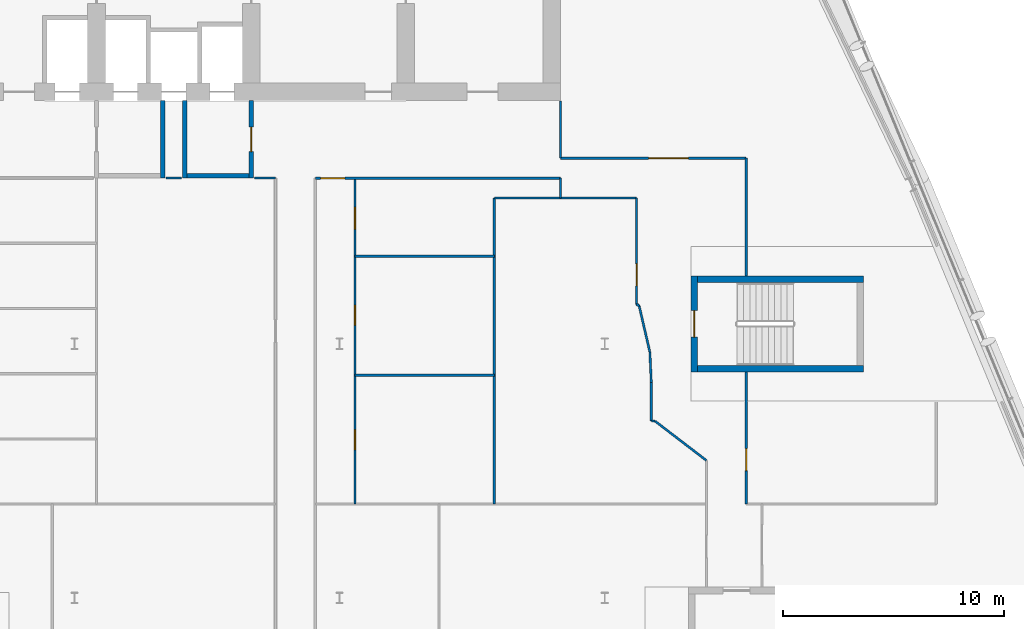
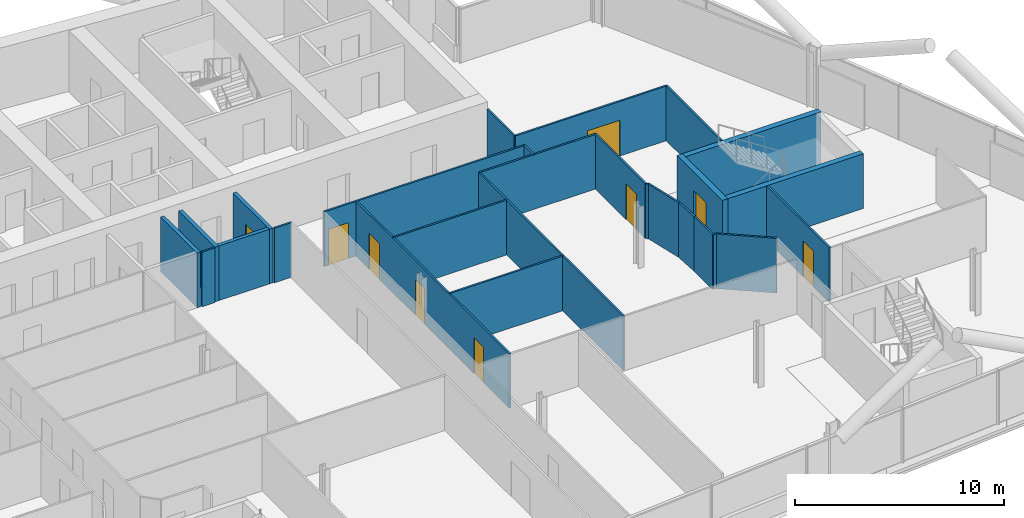
# One storey, part 17 of 26: 27 walls, 9 doors, 9 openings.
"""IFC4 building model written with IfcOpenShell, lengths in metres."""

from ifc_helpers import new_model, si_unit, direction, frame, frame_2d, origin, place, context, subcontext, project, spatial, rectangle, extrude, material, layer, layer_set, type_object, element, fill, save


model = new_model("IFC4")

# Units and contexts
model_context = context("Model", 3, precision=1e-05, world=origin(), true_north=direction((0.0, 1.0)))
body_context = subcontext(model_context, "Body", "Model", "MODEL_VIEW")
ifc_project = project(units=[si_unit("LENGTHUNIT", "METRE"), si_unit("AREAUNIT", "SQUARE_METRE"), si_unit("VOLUMEUNIT", "CUBIC_METRE"), si_unit("PLANEANGLEUNIT", "RADIAN"), si_unit("MASSUNIT", "GRAM", prefix="KILO")], contexts=[model_context])

# Site, building, storey
site_placement = place(None, origin())
site = spatial("IfcSite", under=ifc_project, at=site_placement, CompositionType="ELEMENT")
building_placement = place(site_placement, origin())
building = spatial("IfcBuilding", under=site, at=building_placement, Name="Wharfspan Tower", CompositionType="ELEMENT")
storey_placement = place(building_placement, frame((0.0, 0.0, 169.899902)))
storey = spatial("IfcBuildingStorey", under=building, at=storey_placement, Name="L41", CompositionType="ELEMENT", Elevation=169.899902)

# Wall, opening, door
ifc_material_1 = material(Name="Gypsum board on steel studs", Category="steel")
ifc_layer_1 = layer(ifc_material_1, 0.100098)
ifc_layer_set_1 = layer_set([ifc_layer_1], Name="Gypsum board on steel studs")
wall_type_1 = type_object("IfcWallType", Name="Compartment wall 100 EI 60", PredefinedType="PARTITIONING", material=ifc_layer_set_1)
wall_1_placement = place(storey_placement, frame((46.909912, 30.48999, 0.0), z_axis=(0.0, 0.0, 1.0), x_axis=(1.0, 0.0, 0.0)))
wall_1 = element("IfcWall", 1, at=wall_1_placement, inside=storey, type_object=wall_type_1, Name="Partition L41.w036", PredefinedType="PARTITIONING", context=body_context, shape_type="SweptSolid", body=[
    extrude(rectangle(XDim=11.090088, YDim=0.100098, at=frame_2d((5.544922, 0.0))), origin(), (0.0, 0.0, 1.0), 3.200195),
])
opening_1_placement = place(wall_1_placement, frame((0.235107, 0.0, 0.0)))
opening_1 = element("IfcOpeningElement", 2, at=opening_1_placement, cuts=wall_1, Name="Opening C3-21", PredefinedType="OPENING", context=body_context, shape_type="SweptSolid", body=[
    extrude(rectangle(XDim=1.100098, YDim=2.100098, at=frame_2d((0.550049, 1.050049))), frame((0.0, 0.060059, 0.0), z_axis=(0.0, -1.0, 0.0), x_axis=(1.0, 0.0, 0.0)), (0.0, 0.0, 1.0), 0.120117),
])
ifc_material_2 = material(Name="Fire-rated timber door leaf in steel frame", Category="steel")
door_type_1 = type_object("IfcDoorType", Name="Door 1100 FD30S Left", OperationType="SINGLE_SWING_LEFT", PredefinedType="DOOR", material=ifc_material_2)
door_1_placement = place(opening_1_placement, origin())
door_1 = element("IfcDoor", 3, at=door_1_placement, inside=storey, type_object=door_type_1, Name="Door C3-21", OperationType="SINGLE_SWING_LEFT", OverallHeight=2.100098, OverallWidth=1.100098, PredefinedType="DOOR", context=body_context, shape_type="SweptSolid", body=[
    extrude(rectangle(XDim=1.100098, YDim=2.100098, at=frame_2d((0.550049, 1.050049))), frame((0.0, 0.024902, 0.0), z_axis=(0.0, -1.0, 0.0), x_axis=(1.0, 0.0, 0.0)), (0.0, 0.0, 1.0), 0.050049),
])
fill(opening_1, door_1)

# Wall, openings, doors
wall_2_placement = place(storey_placement, frame((48.699951, 15.745117, 0.0), z_axis=(0.0, 0.0, 1.0), x_axis=(0.0, 1.0, 0.0)))
wall_2 = element("IfcWall", 4, at=wall_2_placement, inside=storey, type_object=wall_type_1, Name="Partition L41.w037", PredefinedType="PARTITIONING", context=body_context, shape_type="SweptSolid", body=[
    extrude(rectangle(XDim=14.744873, YDim=0.100098, at=frame_2d((7.372559, 0.0))), origin(), (0.0, 0.0, 1.0), 3.200195),
])
opening_2_placement = place(wall_2_placement, frame((2.468994, 0.0, 0.0)))
opening_2 = element("IfcOpeningElement", 5, at=opening_2_placement, cuts=wall_2, Name="Opening C3-10", PredefinedType="OPENING", context=body_context, shape_type="SweptSolid", body=[
    extrude(rectangle(XDim=0.899902, YDim=2.100098, at=frame_2d((0.449951, 1.050049))), frame((0.0, 0.060059, 0.0), z_axis=(0.0, -1.0, 0.0), x_axis=(1.0, 0.0, 0.0)), (0.0, 0.0, 1.0), 0.120117),
])
opening_3_placement = place(wall_2_placement, frame((8.099121, 0.0, 0.0)))
opening_3 = element("IfcOpeningElement", 6, at=opening_3_placement, cuts=wall_2, Name="Opening C3-15", PredefinedType="OPENING", context=body_context, shape_type="SweptSolid", body=[
    extrude(rectangle(XDim=0.899902, YDim=2.100098, at=frame_2d((0.449951, 1.050049))), frame((0.0, 0.060059, 0.0), z_axis=(0.0, -1.0, 0.0), x_axis=(1.0, 0.0, 0.0)), (0.0, 0.0, 1.0), 0.120117),
])
opening_4_placement = place(wall_2_placement, frame((12.434082, 0.0, 0.0)))
opening_4 = element("IfcOpeningElement", 7, at=opening_4_placement, cuts=wall_2, Name="Opening C3-19", PredefinedType="OPENING", context=body_context, shape_type="SweptSolid", body=[
    extrude(rectangle(XDim=1.0, YDim=2.100098, at=frame_2d((0.5, 1.050049))), frame((0.0, 0.060059, 0.0), z_axis=(0.0, -1.0, 0.0), x_axis=(1.0, 0.0, 0.0)), (0.0, 0.0, 1.0), 0.120117),
])
ifc_material_3 = material(Name="Timber door leaf in steel frame", Category="steel")
door_type_2 = type_object("IfcDoorType", Name="Door 1000 NOT RATED Right", OperationType="SINGLE_SWING_RIGHT", PredefinedType="DOOR", material=ifc_material_3)
door_2_placement = place(opening_4_placement, origin())
door_2 = element("IfcDoor", 8, at=door_2_placement, inside=storey, type_object=door_type_2, Name="Door C3-19", OperationType="SINGLE_SWING_RIGHT", OverallHeight=2.100098, OverallWidth=1.0, PredefinedType="DOOR", context=body_context, shape_type="SweptSolid", body=[
    extrude(rectangle(XDim=1.0, YDim=2.100098, at=frame_2d((0.5, 1.050049))), frame((0.0, 0.024902, 0.0), z_axis=(0.0, -1.0, 0.0), x_axis=(1.0, 0.0, 0.0)), (0.0, 0.0, 1.0), 0.050049),
])
fill(opening_4, door_2)
door_type_3 = type_object("IfcDoorType", Name="Door 900 NOT RATED Left", OperationType="SINGLE_SWING_LEFT", PredefinedType="DOOR", material=ifc_material_3)
door_3_placement = place(opening_2_placement, origin())
door_3 = element("IfcDoor", 9, at=door_3_placement, inside=storey, type_object=door_type_3, Name="Door C3-10", OperationType="SINGLE_SWING_LEFT", OverallHeight=2.100098, OverallWidth=0.899902, PredefinedType="DOOR", context=body_context, shape_type="SweptSolid", body=[
    extrude(rectangle(XDim=0.899902, YDim=2.100098, at=frame_2d((0.449951, 1.050049))), frame((0.0, 0.024902, 0.0), z_axis=(0.0, -1.0, 0.0), x_axis=(1.0, 0.0, 0.0)), (0.0, 0.0, 1.0), 0.050049),
])
fill(opening_2, door_3)
door_type_4 = type_object("IfcDoorType", Name="Door 900 NOT RATED Right", OperationType="SINGLE_SWING_RIGHT", PredefinedType="DOOR", material=ifc_material_3)
door_4_placement = place(opening_3_placement, origin())
door_4 = element("IfcDoor", 10, at=door_4_placement, inside=storey, type_object=door_type_4, Name="Door C3-15", OperationType="SINGLE_SWING_RIGHT", OverallHeight=2.100098, OverallWidth=0.899902, PredefinedType="DOOR", context=body_context, shape_type="SweptSolid", body=[
    extrude(rectangle(XDim=0.899902, YDim=2.100098, at=frame_2d((0.449951, 1.050049))), frame((0.0, 0.024902, 0.0), z_axis=(0.0, -1.0, 0.0), x_axis=(1.0, 0.0, 0.0)), (0.0, 0.0, 1.0), 0.050049),
])
fill(opening_3, door_4)

# Walls
wall_3_placement = place(storey_placement, frame((55.0, 29.600098, 0.0), z_axis=(0.0, 0.0, 1.0), x_axis=(1.0, 0.0, 0.0)))
element("IfcWall", 11, at=wall_3_placement, inside=storey, type_object=wall_type_1, Name="Partition L41.w044", PredefinedType="PARTITIONING", context=body_context, shape_type="SweptSolid", body=[
    extrude(rectangle(XDim=6.439941, YDim=0.100098, at=frame_2d((3.219971, 0.0))), origin(), (0.0, 0.0, 1.0), 3.200195),
])
wall_4_placement = place(storey_placement, frame((58.0, 29.600098, 0.0), z_axis=(0.0, 0.0, 1.0), x_axis=(0.0, 1.0, 0.0)))
element("IfcWall", 12, at=wall_4_placement, inside=storey, type_object=wall_type_1, Name="Partition L41.w045", PredefinedType="PARTITIONING", context=body_context, shape_type="SweptSolid", body=[
    extrude(rectangle(XDim=0.899902, YDim=0.100098, at=frame_2d((0.449951, 0.0))), origin(), (0.0, 0.0, 1.0), 3.200195),
])
wall_5_placement = place(storey_placement, frame((58.0, 31.399902, 0.0), z_axis=(0.0, 0.0, 1.0), x_axis=(0.0, 1.0, 0.0)))
element("IfcWall", 13, at=wall_5_placement, inside=storey, type_object=wall_type_1, Name="Partition L41.w046", PredefinedType="PARTITIONING", context=body_context, shape_type="SweptSolid", body=[
    extrude(rectangle(XDim=2.580078, YDim=0.100098, at=frame_2d((1.290039, 0.0))), origin(), (0.0, 0.0, 1.0), 3.200195),
])

# Wall, opening, door
wall_6_placement = place(storey_placement, frame((58.0, 31.399902, 0.0), z_axis=(0.0, 0.0, 1.0), x_axis=(1.0, 0.0, 0.0)))
wall_6 = element("IfcWall", 14, at=wall_6_placement, inside=storey, type_object=wall_type_1, Name="Partition L41.w047", PredefinedType="PARTITIONING", context=body_context, shape_type="SweptSolid", body=[
    extrude(rectangle(XDim=8.399902, YDim=0.100098, at=frame_2d((4.199951, 0.0))), origin(), (0.0, 0.0, 1.0), 3.200195),
])
opening_5_placement = place(wall_6_placement, frame((3.97998, 0.0, 0.0)))
opening_5 = element("IfcOpeningElement", 15, at=opening_5_placement, cuts=wall_6, Name="Opening C3-24", PredefinedType="OPENING", context=body_context, shape_type="SweptSolid", body=[
    extrude(rectangle(XDim=1.800049, YDim=2.100098, at=frame_2d((0.899902, 1.050049))), frame((0.0, 0.060059, 0.0), z_axis=(0.0, -1.0, 0.0), x_axis=(1.0, 0.0, 0.0)), (0.0, 0.0, 1.0), 0.120117),
])
door_type_5 = type_object("IfcDoorType", Name="Door 1800 FD30S Double", OperationType="DOUBLE_DOOR_SINGLE_SWING", PredefinedType="DOOR", material=ifc_material_2)
door_5_placement = place(opening_5_placement, origin())
door_5 = element("IfcDoor", 16, at=door_5_placement, inside=storey, type_object=door_type_5, Name="Door C3-24", OperationType="DOUBLE_DOOR_SINGLE_SWING", OverallHeight=2.100098, OverallWidth=1.800049, PredefinedType="DOOR", context=body_context, shape_type="SweptSolid", body=[
    extrude(rectangle(XDim=1.800049, YDim=2.100098, at=frame_2d((0.899902, 1.050049))), frame((0.0, 0.024902, 0.0), z_axis=(0.0, -1.0, 0.0), x_axis=(1.0, 0.0, 0.0)), (0.0, 0.0, 1.0), 0.050049),
])
fill(opening_5, door_5)

wall_7_placement = place(storey_placement, frame((61.439941, 24.800049, 0.0), z_axis=(0.0, 0.0, 1.0), x_axis=(0.0, 1.0, 0.0)))
wall_7 = element("IfcWall", 17, at=wall_7_placement, inside=storey, type_object=wall_type_1, Name="Partition L41.w049", PredefinedType="PARTITIONING", context=body_context, shape_type="SweptSolid", body=[
    extrude(rectangle(XDim=4.800049, YDim=0.100098, at=frame_2d((2.399902, 0.0))), origin(), (0.0, 0.0, 1.0), 3.200195),
])
opening_6_placement = place(wall_7_placement, frame((0.820068, 0.0, 0.0)))
opening_6 = element("IfcOpeningElement", 18, at=opening_6_placement, cuts=wall_7, Name="Opening C3-17", PredefinedType="OPENING", context=body_context, shape_type="SweptSolid", body=[
    extrude(rectangle(XDim=1.0, YDim=2.100098, at=frame_2d((0.5, 1.050049))), frame((0.0, 0.060059, 0.0), z_axis=(0.0, -1.0, 0.0), x_axis=(1.0, 0.0, 0.0)), (0.0, 0.0, 1.0), 0.120117),
])
door_type_6 = type_object("IfcDoorType", Name="Door 1000 FD30S Left", OperationType="SINGLE_SWING_LEFT", PredefinedType="DOOR", material=ifc_material_2)
door_6_placement = place(opening_6_placement, origin())
door_6 = element("IfcDoor", 19, at=door_6_placement, inside=storey, type_object=door_type_6, Name="Door C3-17", OperationType="SINGLE_SWING_LEFT", OverallHeight=2.100098, OverallWidth=1.0, PredefinedType="DOOR", context=body_context, shape_type="SweptSolid", body=[
    extrude(rectangle(XDim=1.0, YDim=2.100098, at=frame_2d((0.5, 1.050049))), frame((0.0, 0.024902, 0.0), z_axis=(0.0, -1.0, 0.0), x_axis=(1.0, 0.0, 0.0)), (0.0, 0.0, 1.0), 0.050049),
])
fill(opening_6, door_6)

# Walls
wall_8_placement = place(storey_placement, frame((61.560059, 24.695068, 0.0), z_axis=(0.0, 0.0, 1.0), x_axis=(-0.752958, 0.658073, 0.0)))
element("IfcWall", 20, at=wall_8_placement, inside=storey, type_object=wall_type_1, Name="Partition L41.w050", PredefinedType="PARTITIONING", context=body_context, shape_type="SweptSolid", body=[
    extrude(rectangle(XDim=0.159424, YDim=0.100098, at=frame_2d((0.07959, 0.0))), origin(), (0.0, 0.0, 1.0), 3.200195),
])
wall_9_placement = place(storey_placement, frame((62.040039, 22.629883, 0.0), z_axis=(0.0, 0.0, 1.0), x_axis=(-0.226381, 0.974037, 0.0)))
element("IfcWall", 21, at=wall_9_placement, inside=storey, type_object=wall_type_1, Name="Partition L41.w051", PredefinedType="PARTITIONING", context=body_context, shape_type="SweptSolid", body=[
    extrude(rectangle(XDim=2.120117, YDim=0.100098, at=frame_2d((1.060059, 0.0))), origin(), (0.0, 0.0, 1.0), 3.200195),
])
wall_10_placement = place(storey_placement, frame((62.10498, 19.5, 0.0), z_axis=(0.0, 0.0, 1.0), x_axis=(0.0, 1.0, 0.0)))
element("IfcWall", 22, at=wall_10_placement, inside=storey, type_object=wall_type_1, Name="Partition L41.w052", PredefinedType="PARTITIONING", context=body_context, shape_type="SweptSolid", body=[
    extrude(rectangle(XDim=1.75, YDim=0.100098, at=frame_2d((0.875, 0.0))), origin(), (0.0, 0.0, 1.0), 3.200195),
])
wall_11_placement = place(storey_placement, frame((62.10498, 19.5, 0.0), z_axis=(0.0, 0.0, 1.0), x_axis=(1.0, 0.0, 0.0)))
element("IfcWall", 23, at=wall_11_placement, inside=storey, type_object=wall_type_1, Name="Partition L41.w053", PredefinedType="PARTITIONING", context=body_context, shape_type="SweptSolid", body=[
    extrude(rectangle(XDim=0.169922, YDim=0.100098, at=frame_2d((0.084961, 0.0))), origin(), (0.0, 0.0, 1.0), 3.200195),
])
wall_12_placement = place(storey_placement, frame((62.10498, 21.25, 0.0), z_axis=(0.0, 0.0, 1.0), x_axis=(-0.047011, 0.998895, 0.0)))
element("IfcWall", 24, at=wall_12_placement, inside=storey, type_object=wall_type_1, Name="Partition L41.w054", PredefinedType="PARTITIONING", context=body_context, shape_type="SweptSolid", body=[
    extrude(rectangle(XDim=1.381348, YDim=0.100098, at=frame_2d((0.690674, 0.0))), origin(), (0.0, 0.0, 1.0), 3.200195),
])
wall_13_placement = place(storey_placement, frame((64.600098, 17.719971, 0.0), z_axis=(0.0, 0.0, 1.0), x_axis=(-0.794036, 0.607866, 0.0)))
element("IfcWall", 25, at=wall_13_placement, inside=storey, type_object=wall_type_1, Name="Partition L41.w056", PredefinedType="PARTITIONING", context=body_context, shape_type="SweptSolid", body=[
    extrude(rectangle(XDim=2.928223, YDim=0.100098, at=frame_2d((1.464111, 0.0))), origin(), (0.0, 0.0, 1.0), 3.200195),
])

# Wall, opening, door
wall_14_placement = place(storey_placement, frame((66.399902, 15.745117, 0.0), z_axis=(0.0, 0.0, 1.0), x_axis=(0.0, 1.0, 0.0)))
wall_14 = element("IfcWall", 26, at=wall_14_placement, inside=storey, type_object=wall_type_1, Name="Partition L41.w057", PredefinedType="PARTITIONING", context=body_context, shape_type="SweptSolid", body=[
    extrude(rectangle(XDim=5.97998, YDim=0.100098, at=frame_2d((2.98999, 0.0))), origin(), (0.0, 0.0, 1.0), 3.200195),
])
opening_7_placement = place(wall_14_placement, frame((1.51001, 0.0, 0.0)))
opening_7 = element("IfcOpeningElement", 27, at=opening_7_placement, cuts=wall_14, Name="Opening C3-08", PredefinedType="OPENING", context=body_context, shape_type="SweptSolid", body=[
    extrude(rectangle(XDim=1.0, YDim=2.100098, at=frame_2d((0.5, 1.050049))), frame((0.0, 0.060059, 0.0), z_axis=(0.0, -1.0, 0.0), x_axis=(1.0, 0.0, 0.0)), (0.0, 0.0, 1.0), 0.120117),
])
door_7_placement = place(opening_7_placement, origin())
door_7 = element("IfcDoor", 28, at=door_7_placement, inside=storey, type_object=door_type_6, Name="Door C3-08", OperationType="SINGLE_SWING_LEFT", OverallHeight=2.100098, OverallWidth=1.0, PredefinedType="DOOR", context=body_context, shape_type="SweptSolid", body=[
    extrude(rectangle(XDim=1.0, YDim=2.100098, at=frame_2d((0.5, 1.050049))), frame((0.0, 0.024902, 0.0), z_axis=(0.0, -1.0, 0.0), x_axis=(1.0, 0.0, 0.0)), (0.0, 0.0, 1.0), 0.050049),
])
fill(opening_7, door_7)

# Walls
wall_15_placement = place(storey_placement, frame((66.399902, 26.074951, 0.0), z_axis=(0.0, 0.0, 1.0), x_axis=(0.0, 1.0, 0.0)))
element("IfcWall", 29, at=wall_15_placement, inside=storey, type_object=wall_type_1, Name="Partition L41.w059", PredefinedType="PARTITIONING", context=body_context, shape_type="SweptSolid", body=[
    extrude(rectangle(XDim=5.324951, YDim=0.100098, at=frame_2d((2.662598, 0.0))), origin(), (0.0, 0.0, 1.0), 3.200195),
])
wall_16_placement = place(storey_placement, frame((40.149902, 30.5, 0.0), z_axis=(0.0, 0.0, 1.0), x_axis=(1.0, 0.0, 0.0)))
element("IfcWall", 30, at=wall_16_placement, inside=storey, type_object=wall_type_1, Name="Partition L41.w025 (2)", PredefinedType="PARTITIONING", context=body_context, shape_type="SweptSolid", body=[
    extrude(rectangle(XDim=0.700195, YDim=0.100098, at=frame_2d((0.350098, 0.0))), origin(), (0.0, 0.0, 1.0), 3.200195),
])
wall_17_placement = place(storey_placement, frame((44.149902, 30.5, 0.0), z_axis=(0.0, 0.0, 1.0), x_axis=(1.0, 0.0, 0.0)))
element("IfcWall", 31, at=wall_17_placement, inside=storey, type_object=wall_type_1, Name="Partition L41.w025 (3)", PredefinedType="PARTITIONING", context=body_context, shape_type="SweptSolid", body=[
    extrude(rectangle(XDim=0.950195, YDim=0.100098, at=frame_2d((0.475098, 0.0))), origin(), (0.0, 0.0, 1.0), 3.200195),
])
ifc_material_4 = material(Name="Concrete C30/37", Category="concrete")
ifc_layer_2 = layer(ifc_material_4, 0.199951)
ifc_layer_set_2 = layer_set([ifc_layer_2], Name="Concrete C30/37")
wall_type_2 = type_object("IfcWallType", Name="Lobby wall 200", PredefinedType="PARTITIONING", material=ifc_layer_set_2)
for number, where, z_axis, x_axis, name in (
    (32, (40.0, 30.5, 0.0), (0.0, 0.0, 1.0), (0.0, 1.0, 0.0), "sw:L41:FLFF1E"),
    (33, (41.0, 30.5, 0.0), (0.0, 0.0, 1.0), (0.0, 1.0, 0.0), "sw:L41:FLFF2W"),
):
    element("IfcWall", number, at=place(storey_placement, frame(where, z_axis=z_axis, x_axis=x_axis)), inside=storey, type_object=wall_type_2, Name=name, PredefinedType="PARTITIONING", context=body_context, shape_type="SweptSolid", body=[
        extrude(rectangle(XDim=3.5, YDim=0.199951, at=frame_2d((1.75, 0.0))), origin(), (0.0, 0.0, 1.0), 3.200195),
    ])

# Wall, opening, door
wall_18_placement = place(storey_placement, frame((44.0, 30.5, 0.0), z_axis=(0.0, 0.0, 1.0), x_axis=(0.0, 1.0, 0.0)))
wall_18 = element("IfcWall", 34, at=wall_18_placement, inside=storey, type_object=wall_type_2, Name="sw:L41:FLFF2E", PredefinedType="PARTITIONING", context=body_context, shape_type="SweptSolid", body=[
    extrude(rectangle(XDim=3.5, YDim=0.199951, at=frame_2d((1.75, 0.0))), origin(), (0.0, 0.0, 1.0), 3.200195),
])
opening_8_placement = place(wall_18_placement, frame((1.199951, 0.0, 0.0)))
opening_8 = element("IfcOpeningElement", 35, at=opening_8_placement, cuts=wall_18, Name="Opening FL.FF2.L41", PredefinedType="OPENING", context=body_context, shape_type="SweptSolid", body=[
    extrude(rectangle(XDim=1.100098, YDim=2.100098, at=frame_2d((0.550049, 1.050049))), frame((0.0, 0.109863, 0.0), z_axis=(0.0, -1.0, 0.0), x_axis=(1.0, 0.0, 0.0)), (0.0, 0.0, 1.0), 0.219971),
])
ifc_material_5 = material(Name="Steel door leaf", Category="steel")
door_type_7 = type_object("IfcDoorType", Name="Firefighting lobby door 1100x2100", OperationType="SINGLE_SWING_LEFT", PredefinedType="DOOR", material=ifc_material_5)
door_8_placement = place(opening_8_placement, origin())
door_8 = element("IfcDoor", 36, at=door_8_placement, inside=storey, type_object=door_type_7, Name="fd:L41:FF2", OperationType="SINGLE_SWING_LEFT", OverallHeight=2.100098, OverallWidth=1.100098, PredefinedType="DOOR", context=body_context, shape_type="SweptSolid", body=[
    extrude(rectangle(XDim=1.100098, YDim=2.100098, at=frame_2d((0.550049, 1.050049))), frame((0.0, 0.024902, 0.0), z_axis=(0.0, -1.0, 0.0), x_axis=(1.0, 0.0, 0.0)), (0.0, 0.0, 1.0), 0.050049),
])
fill(opening_8, door_8)

# Walls
wall_19_placement = place(storey_placement, frame((41.100098, 30.600098, 0.0), z_axis=(0.0, 0.0, 1.0), x_axis=(1.0, 0.0, 0.0)))
element("IfcWall", 37, at=wall_19_placement, inside=storey, type_object=wall_type_2, Name="sw:L41:FLFF2F", PredefinedType="PARTITIONING", context=body_context, shape_type="SweptSolid", body=[
    extrude(rectangle(XDim=2.799805, YDim=0.199951, at=frame_2d((1.399902, 0.0))), origin(), (0.0, 0.0, 1.0), 3.200195),
])
ifc_layer_3 = layer(ifc_material_1, 0.100098)
ifc_layer_set_3 = layer_set([ifc_layer_3], Name="Gypsum board on steel studs")
wall_type_3 = type_object("IfcWallType", Name="Partition 100", PredefinedType="PARTITIONING", material=ifc_layer_set_3)
for number, where, z_axis, x_axis, name in (
    (38, (48.699951, 21.574951, 0.0), (0.0, 0.0, 1.0), (1.0, 0.0, 0.0), "Partition L41.w038"),
    (39, (48.699951, 26.959961, 0.0), (0.0, 0.0, 1.0), (1.0, 0.0, 0.0), "Partition L41.w039"),
):
    element("IfcWall", number, at=place(storey_placement, frame(where, z_axis=z_axis, x_axis=x_axis)), inside=storey, type_object=wall_type_3, Name=name, PredefinedType="PARTITIONING", context=body_context, shape_type="SweptSolid", body=[
        extrude(rectangle(XDim=6.300049, YDim=0.100098, at=frame_2d((3.149902, 0.0))), origin(), (0.0, 0.0, 1.0), 3.200195),
    ])
wall_20_placement = place(storey_placement, frame((55.0, 15.745117, 0.0), z_axis=(0.0, 0.0, 1.0), x_axis=(0.0, 1.0, 0.0)))
element("IfcWall", 40, at=wall_20_placement, inside=storey, type_object=wall_type_3, Name="Partition L41.w043", PredefinedType="PARTITIONING", context=body_context, shape_type="SweptSolid", body=[
    extrude(rectangle(XDim=13.85498, YDim=0.100098, at=frame_2d((6.92749, 0.0))), origin(), (0.0, 0.0, 1.0), 3.200195),
])

# Wall, opening, door
ifc_material_6 = material(Name="Concrete C40/50", Category="concrete")
ifc_layer_4 = layer(ifc_material_6, 0.300049)
ifc_layer_set_4 = layer_set([ifc_layer_4], Name="Concrete C40/50")
wall_type_4 = type_object("IfcWallType", Name="Stair core wall 300", PredefinedType="SHEAR", material=ifc_layer_set_4)
wall_21_placement = place(storey_placement, frame((64.054688, 21.725098, 0.0), z_axis=(0.0, 0.0, 1.0), x_axis=(0.0, 1.0, 0.0)))
wall_21 = element("IfcWall", 41, at=wall_21_placement, inside=storey, type_object=wall_type_4, Name="ST6 stair enclosure wall L41", PredefinedType="SHEAR", context=body_context, shape_type="SweptSolid", body=[
    extrude(rectangle(XDim=4.349854, YDim=0.300049, at=frame_2d((2.174805, 0.0))), origin(), (0.0, 0.0, 1.0), 3.200195),
])
opening_9_placement = place(wall_21_placement, frame((1.574951, 0.0, 0.0)))
opening_9 = element("IfcOpeningElement", 42, at=opening_9_placement, cuts=wall_21, Name="Opening SD6.L41", PredefinedType="OPENING", context=body_context, shape_type="SweptSolid", body=[
    extrude(rectangle(XDim=1.199951, YDim=2.100098, at=frame_2d((0.600098, 1.050049))), frame((0.0, 0.159912, 0.0), z_axis=(0.0, -1.0, 0.0), x_axis=(1.0, 0.0, 0.0)), (0.0, 0.0, 1.0), 0.320068),
])
door_type_8 = type_object("IfcDoorType", Name="Stair door 1200x2100", OperationType="SINGLE_SWING_LEFT", PredefinedType="DOOR", material=ifc_material_5)
door_9_placement = place(opening_9_placement, origin())
door_9 = element("IfcDoor", 43, at=door_9_placement, inside=storey, type_object=door_type_8, Name="sd:L41:ST6z3", OperationType="SINGLE_SWING_RIGHT", OverallHeight=2.100098, OverallWidth=1.199951, PredefinedType="DOOR", context=body_context, shape_type="SweptSolid", body=[
    extrude(rectangle(XDim=1.199951, YDim=2.100098, at=frame_2d((0.600098, 1.050049))), frame((0.0, 0.024902, 0.0), z_axis=(0.0, -1.0, 0.0), x_axis=(1.0, 0.0, 0.0)), (0.0, 0.0, 1.0), 0.050049),
])
fill(opening_9, door_9)

# Walls
for number, where, z_axis, x_axis, name in (
    (44, (64.20459, 21.875, 0.0), (0.0, 0.0, 1.0), (1.0, 0.0, 0.0), "ST6 stair enclosure wall L41"),
    (45, (64.20459, 25.925049, 0.0), (0.0, 0.0, 1.0), (1.0, 0.0, 0.0), "ST6 stair enclosure wall L41"),
):
    element("IfcWall", number, at=place(storey_placement, frame(where, z_axis=z_axis, x_axis=x_axis)), inside=storey, type_object=wall_type_4, Name=name, PredefinedType="SHEAR", context=body_context, shape_type="SweptSolid", body=[
        extrude(rectangle(XDim=7.5, YDim=0.300049, at=frame_2d((3.75, 0.0))), origin(), (0.0, 0.0, 1.0), 3.200195),
    ])

save(model, "model.ifc")
